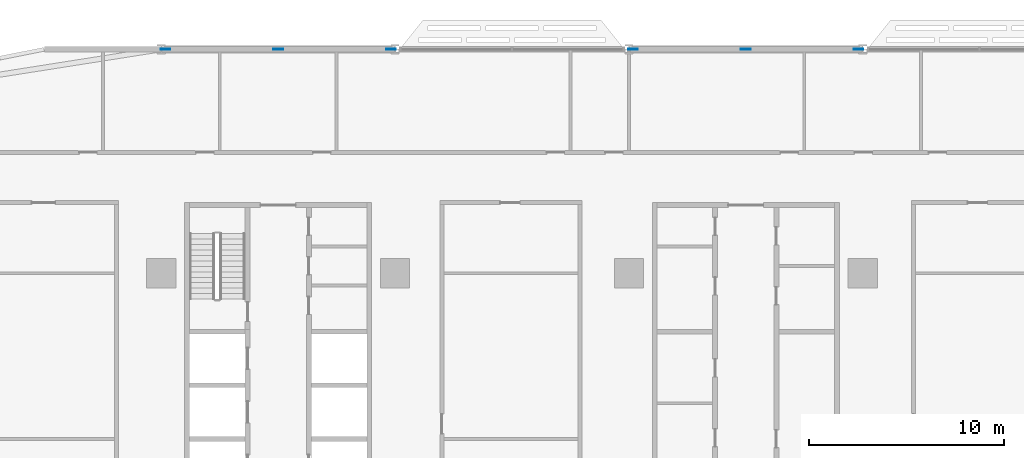
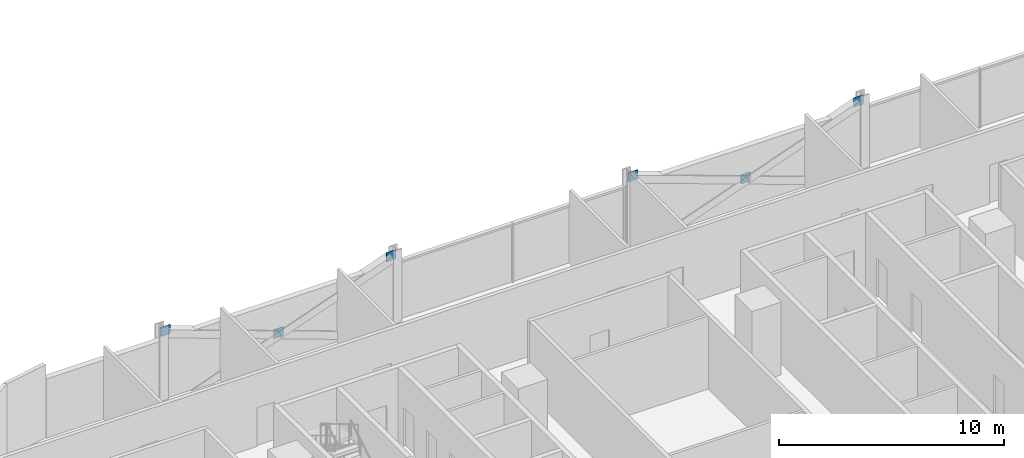
# One storey, part 22 of 30: 6 discrete accessories.
"""IFC4 building model written with IfcOpenShell, lengths in metres."""

from ifc_helpers import new_model, si_unit, direction, frame, origin, origin_2d, place, context, subcontext, project, spatial, rectangle, extrude, material, layer, layer_set, type_object, element, save


model = new_model("IFC4")

# Units and contexts
model_context = context("Model", 3, precision=1e-05, world=origin(), true_north=direction((0.0, 1.0)))
body_context = subcontext(model_context, "Body", "Model", "MODEL_VIEW")
ifc_project = project(units=[si_unit("LENGTHUNIT", "METRE"), si_unit("AREAUNIT", "SQUARE_METRE"), si_unit("VOLUMEUNIT", "CUBIC_METRE"), si_unit("PLANEANGLEUNIT", "RADIAN"), si_unit("MASSUNIT", "GRAM", prefix="KILO")], contexts=[model_context])

# Site, building, storey
site_placement = place(None, origin())
site = spatial("IfcSite", under=ifc_project, at=site_placement, CompositionType="ELEMENT")
building_placement = place(site_placement, origin())
building = spatial("IfcBuilding", under=site, at=building_placement, Name="Mahtab Terrace Research Tower", CompositionType="ELEMENT")
storey_placement = place(building_placement, frame((0.0, 0.0, 50.300048828125)))
storey = spatial("IfcBuildingStorey", under=building, at=storey_placement, Name="L11", CompositionType="ELEMENT", Elevation=50.300048828125)

# Discrete accessories
ifc_material = material(Name="Steel ASTM A992 Gr 50", Category="steel")
ifc_layer = layer(ifc_material, 0.030029296875)
ifc_layer_set = layer_set([ifc_layer], Name="Gusset plate 500x500x30")
discrete_accessory_type = type_object("IfcDiscreteAccessoryType", Name="Gusset plate 500x500x30", PredefinedType="USERDEFINED", material=ifc_layer_set)
for number, where, z_axis, x_axis, name in (
    (1, (-29.787841796875, 23.0, 3.33154296875), (0.0, 0.0, 1.0), (1.0, 0.0, 0.0), "Gusset plate"),
    (2, (-24.0, 23.0, 1.181396484375), (0.0, 0.0, 1.0), (1.0, 0.0, 0.0), "Gusset plate"),
    (3, (-18.212158203125, 23.0, 3.33154296875), (0.0, 0.0, 1.0), (1.0, 0.0, 0.0), "Gusset plate"),
    (4, (-5.787841796875, 23.0, 3.33154296875), (0.0, 0.0, 1.0), (1.0, 0.0, 0.0), "Gusset plate"),
    (5, (0.0, 23.0, 1.181396484375), (0.0, 0.0, 1.0), (1.0, 0.0, 0.0), "Gusset plate"),
    (6, (5.787841796875, 23.0, 3.33154296875), (0.0, 0.0, 1.0), (1.0, 0.0, 0.0), "Gusset plate"),
):
    element("IfcDiscreteAccessory", number, at=place(storey_placement, frame(where, z_axis=z_axis, x_axis=x_axis)), inside=storey, type_object=discrete_accessory_type, Name=name, ObjectType="GUSSET PLATE", PredefinedType="USERDEFINED", context=body_context, shape_type="SweptSolid", body=[
        extrude(rectangle(XDim=0.5, YDim=0.030029296875, at=origin_2d()), origin(), (0.0, 0.0, 1.0), 0.5),
    ])

save(model, "model.ifc")
